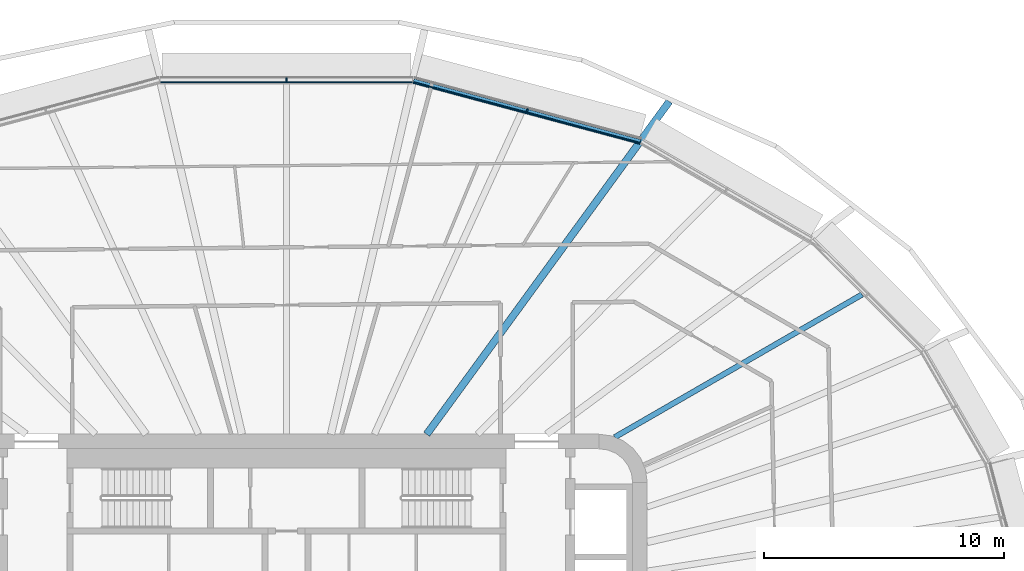
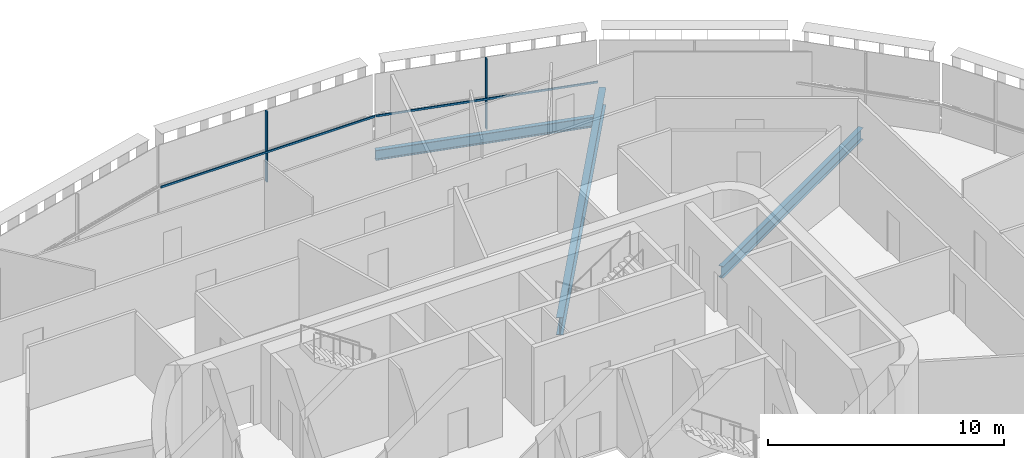
# One storey, part 8 of 23: 4 members, 3 beams, 2 elements without a shape of their own.
"""IFC4 building model written with IfcOpenShell, lengths in metres."""

from ifc_helpers import new_model, si_unit, direction, frame, origin, origin_2d, place, context, subcontext, project, spatial, rectangle, i_section, extrude, material, layer, layer_set, material_profile, profile_set, type_object, element, aggregate, save


model = new_model("IFC4")

# Units and contexts
model_context = context("Model", 3, precision=1e-05, world=origin(), true_north=direction((0.0, 1.0)))
body_context = subcontext(model_context, "Body", "Model", "MODEL_VIEW")
ifc_project = project(units=[si_unit("LENGTHUNIT", "METRE"), si_unit("AREAUNIT", "SQUARE_METRE"), si_unit("VOLUMEUNIT", "CUBIC_METRE"), si_unit("PLANEANGLEUNIT", "RADIAN"), si_unit("MASSUNIT", "GRAM", prefix="KILO")], contexts=[model_context])

# Site, building, storey
site_placement = place(None, origin())
site = spatial("IfcSite", under=ifc_project, at=site_placement, CompositionType="ELEMENT")
building_placement = place(site_placement, origin())
building = spatial("IfcBuilding", under=site, at=building_placement, Name="Sahrelin Media Tower", CompositionType="ELEMENT")
storey_placement = place(building_placement, frame((0.0, 0.0, 54.60009765625)))
storey = spatial("IfcBuildingStorey", under=building, at=storey_placement, Name="L08", CompositionType="ELEMENT", Elevation=54.60009765625)

# Beam
ifc_material_1 = material(Name="Steel S355", Category="steel")
ifc_material_profile_1 = material_profile(ifc_material_1, i_section(OverallWidth=0.208740234375, OverallDepth=0.5283203125, WebThickness=0.009521484375, FlangeThickness=0.01318359375, FilletRadius=0.0126953125, at=origin_2d()), Name="UB 533x210x82")
ifc_profile_set_1 = profile_set([ifc_material_profile_1], Name="Steel S355")
beam_type_1 = type_object("IfcBeamType", Name="Edge beam EB6", PredefinedType="BEAM", material=ifc_profile_set_1)
beam_1_placement = place(storey_placement, frame((5.279296875, 22.68017578125, -0.414306640625), z_axis=(0.965922401416, -0.258831826565, 0.0), x_axis=(0.258831826565, 0.965922401416, 0.0)))
element("IfcBeam", 1, at=beam_1_placement, inside=storey, type_object=beam_type_1, Name="Edge beam L08-20", PredefinedType="BEAM", context=body_context, shape_type="SweptSolid", body=[
    extrude(i_section(OverallWidth=0.208740234375, OverallDepth=0.5283203125, WebThickness=0.009521484375, FlangeThickness=0.01318359375, FilletRadius=0.0126953125, at=origin_2d()), origin(), (0.0, 0.0, 1.0), 9.77197265625),
])

# Curtain wall, member
ifc_material_2 = material(Name="Champagne anodised aluminium 6063-T6", Category="aluminium")
ifc_layer = layer(ifc_material_2, 0.14990234375)
ifc_layer_set = layer_set([ifc_layer], Name="Tower ribbon curtain wall")
curtain_wall_type = type_object("IfcCurtainWallType", Name="Tower ribbon curtain wall", PredefinedType="NOTDEFINED", material=ifc_layer_set)
curtain_wall_1_placement = place(storey_placement, frame((10.03759765625, 21.560302734375, 0.0), z_axis=(0.0, 0.0, 1.0), x_axis=(1.0, 0.0, 0.0)))
curtain_wall_1 = element("IfcCurtainWall", 2, at=curtain_wall_1_placement, inside=storey, type_object=curtain_wall_type, Name="L08:CW:L08-05", PredefinedType="NOTDEFINED")
ifc_material_profile_2 = material_profile(ifc_material_2, rectangle(XDim=0.06005859375, YDim=0.14990234375, at=origin_2d()), Name="Mullion 60x150")
ifc_profile_set_2 = profile_set([ifc_material_profile_2], Name="Champagne anodised aluminium 6063-T6")
member_type_1 = type_object("IfcMemberType", Name="Mullion 60x150 CW1", PredefinedType="MULLION", material=ifc_profile_set_2)
member_1_placement = place(storey_placement, frame((10.012939453125, 21.46875, 0.0), z_axis=(0.0, 0.0, 1.0), x_axis=(-0.965926278012, 0.258817359244, 0.0)))
member_1 = element("IfcMember", 3, at=member_1_placement, type_object=member_type_1, Name="L08:CWM:L08-05", PredefinedType="MULLION", context=body_context, shape_type="SweptSolid", body=[
    extrude(rectangle(XDim=0.06005859375, YDim=0.14990234375, at=origin_2d()), origin(), (0.0, 0.0, 1.0), 3.6484375),
])

curtain_wall_2_placement = place(storey_placement, frame((0.0, 22.833984375, 0.0), z_axis=(0.0, 0.0, 1.0), x_axis=(1.0, 0.0, 0.0)))
curtain_wall_2 = element("IfcCurtainWall", 4, at=curtain_wall_2_placement, inside=storey, type_object=curtain_wall_type, Name="L08:CW:L08-06", PredefinedType="NOTDEFINED")
member_2_placement = place(storey_placement, frame((0.0, 22.739013671875, 0.0), z_axis=(0.0, 0.0, 1.0), x_axis=(-1.0, 0.0, 0.0)))
member_2 = element("IfcMember", 5, at=member_2_placement, type_object=member_type_1, Name="L08:CWM:L08-06", PredefinedType="MULLION", context=body_context, shape_type="SweptSolid", body=[
    extrude(rectangle(XDim=0.06005859375, YDim=0.14990234375, at=origin_2d()), origin(), (0.0, 0.0, 1.0), 3.6484375),
])

# Beams
ifc_material_profile_3 = material_profile(ifc_material_1, i_section(OverallWidth=0.30322265625, OverallDepth=0.903076171875, WebThickness=0.01513671875, FlangeThickness=0.020263671875, FilletRadius=0.01904296875, at=origin_2d()), Name="UB 914x305x201")
ifc_profile_set_3 = profile_set([ifc_material_profile_3], Name="Steel S355")
beam_type_2 = type_object("IfcBeamType", Name="Radial primary beam PB11", PredefinedType="BEAM", material=ifc_profile_set_3)
beam_2_placement = place(storey_placement, frame((5.832275390625, 8.0, -0.6015625), z_axis=(0.589106230623, 0.808055597741, 0.0), x_axis=(-0.808055597741, 0.589106230623, 0.0)))
element("IfcBeam", 6, at=beam_2_placement, inside=storey, type_object=beam_type_2, Name="Radial beam L08-05", PredefinedType="BEAM", context=body_context, shape_type="SweptSolid", body=[
    extrude(i_section(OverallWidth=0.30322265625, OverallDepth=0.903076171875, WebThickness=0.01513671875, FlangeThickness=0.020263671875, FilletRadius=0.01904296875, at=origin_2d()), origin(), (0.0, 0.0, 1.0), 17.126220703125),
])
ifc_material_profile_4 = material_profile(ifc_material_1, i_section(OverallWidth=0.2275390625, OverallDepth=0.6025390625, WebThickness=0.010498046875, FlangeThickness=0.014892578125, FilletRadius=0.0126953125, at=origin_2d()), Name="UB 610x229x101")
ifc_profile_set_4 = profile_set([ifc_material_profile_4], Name="Steel S355")
beam_type_3 = type_object("IfcBeamType", Name="Radial secondary beam SB7", PredefinedType="BEAM", material=ifc_profile_set_4)
beam_3_placement = place(storey_placement, frame((13.6513671875, 7.87646484375, -0.451416015625), z_axis=(0.866166758016, 0.499755087325, 0.0), x_axis=(-0.499755087325, 0.866166758016, 0.0)))
element("IfcBeam", 7, at=beam_3_placement, inside=storey, type_object=beam_type_3, Name="Secondary beam L08-03", PredefinedType="BEAM", context=body_context, shape_type="SweptSolid", body=[
    extrude(i_section(OverallWidth=0.2275390625, OverallDepth=0.6025390625, WebThickness=0.010498046875, FlangeThickness=0.014892578125, FilletRadius=0.0126953125, at=origin_2d()), origin(), (0.0, 0.0, 1.0), 11.87353515625),
])

# Member
ifc_material_profile_5 = material_profile(ifc_material_2, rectangle(XDim=0.050048828125, YDim=0.10009765625, at=origin_2d()), Name="Transom 50x100")
ifc_profile_set_5 = profile_set([ifc_material_profile_5], Name="Champagne anodised aluminium 6063-T6")
member_type_2 = type_object("IfcMemberType", Name="Transom 50x100 CW1", PredefinedType="USERDEFINED", material=ifc_profile_set_5)
member_3_placement = place(storey_placement, frame((14.69140625, 20.111572265625, 1.599853515625), z_axis=(-0.965927242268, 0.258813760539, 0.0), x_axis=(-0.258813760539, -0.965927242268, 0.0)))
member_3 = element("IfcMember", 8, at=member_3_placement, type_object=member_type_2, Name="L08:CWT:L08-05", ObjectType="TRANSOM", PredefinedType="USERDEFINED", context=body_context, shape_type="SweptSolid", body=[
    extrude(rectangle(XDim=0.050048828125, YDim=0.10009765625, at=origin_2d()), origin(), (0.0, 0.0, 1.0), 9.740478515625),
])

aggregate(curtain_wall_1, [member_1, member_3])

member_4_placement = place(storey_placement, frame((5.23486328125, 22.638916015625, 1.599853515625), z_axis=(-1.0, 0.0, 0.0), x_axis=(0.0, -1.0, 0.0)))
member_4 = element("IfcMember", 9, at=member_4_placement, type_object=member_type_2, Name="L08:CWT:L08-06", ObjectType="TRANSOM", PredefinedType="USERDEFINED", context=body_context, shape_type="SweptSolid", body=[
    extrude(rectangle(XDim=0.050048828125, YDim=0.10009765625, at=origin_2d()), origin(), (0.0, 0.0, 1.0), 10.4697265625),
])

aggregate(curtain_wall_2, [member_2, member_4])

save(model, "model.ifc")
